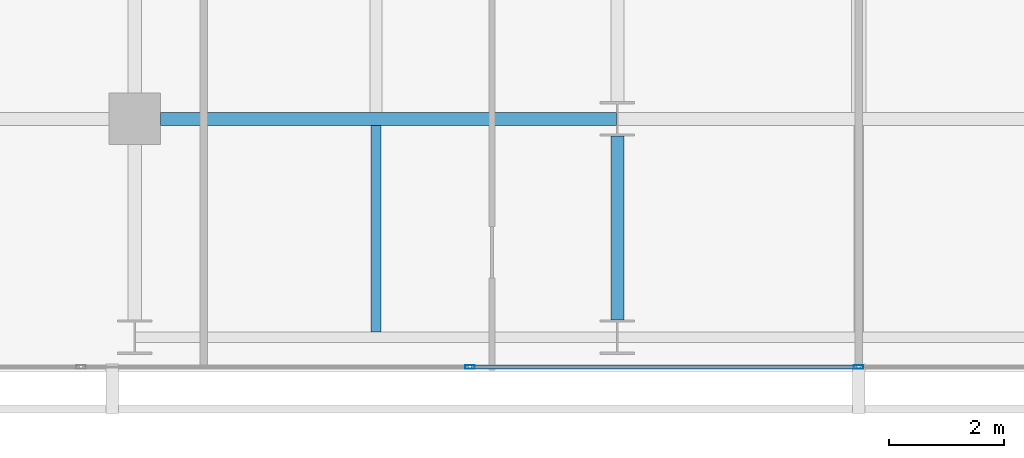
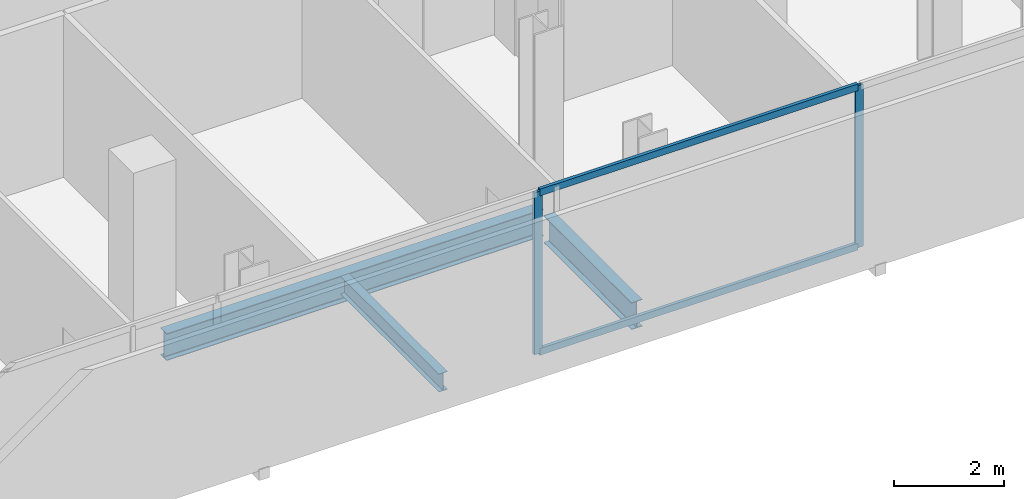
# One storey, part 6 of 34: 4 members, 3 beams, 1 element without a shape of its own.
"""IFC4 building model written with IfcOpenShell, lengths in metres."""

from ifc_helpers import new_model, si_unit, direction, frame, origin, origin_2d, place, context, subcontext, project, spatial, hollow_rectangle, i_section, extrude, material, layer, layer_set, material_profile, profile_set, type_object, element, aggregate, save


model = new_model("IFC4")

# Units and contexts
model_context = context("Model", 3, precision=1e-05, world=origin(), true_north=direction((0.0, 1.0)))
body_context = subcontext(model_context, "Body", "Model", "MODEL_VIEW")
ifc_project = project(units=[si_unit("LENGTHUNIT", "METRE"), si_unit("AREAUNIT", "SQUARE_METRE"), si_unit("VOLUMEUNIT", "CUBIC_METRE"), si_unit("PLANEANGLEUNIT", "RADIAN"), si_unit("MASSUNIT", "GRAM", prefix="KILO")], contexts=[model_context])

# Site, building, storey
site_placement = place(None, origin())
site = spatial("IfcSite", under=ifc_project, at=site_placement, CompositionType="ELEMENT")
building_placement = place(site_placement, origin())
building = spatial("IfcBuilding", under=site, at=building_placement, Name="Maruvema Waterfront Hotel and Observation Tower", CompositionType="ELEMENT")
storey_placement = place(building_placement, frame((0.0, 0.0, 185.14990234375)))
storey = spatial("IfcBuildingStorey", under=building, at=storey_placement, Name="L45", CompositionType="ELEMENT", Elevation=185.14990234375)

# Curtain wall, members
ifc_material_1 = material(Name="Anodised bronze aluminium and solar-control low-E IGU", Category="aluminium")
ifc_layer = layer(ifc_material_1, 0.159912109375, Name="Zone 2 Amber Inner Thermal Curtain Wall System CW-03")
ifc_layer_set = layer_set([ifc_layer], Name="Anodised bronze aluminium and solar-control low-E IGU")
curtain_wall_type = type_object("IfcCurtainWallType", Name="Zone 2 Amber Inner Thermal Curtain Wall System CW-03", PredefinedType="USERDEFINED", material=ifc_layer_set)
curtain_wall_placement = place(storey_placement, origin())
curtain_wall = element("IfcCurtainWall", 1, at=curtain_wall_placement, inside=storey, type_object=curtain_wall_type, Name="L45 Curtain Wall CW-L45-S", ObjectType="UNITISED CURTAIN WALL", PredefinedType="USERDEFINED")
ifc_material_2 = material(Name="Anodised architectural bronze aluminium", Category="aluminium")
ifc_material_profile_1 = material_profile(ifc_material_2, hollow_rectangle(XDim=0.070068359375, YDim=0.14990234375, WallThickness=0.00390625, at=origin_2d()), Name="ALU-T70x150")
ifc_profile_set_1 = profile_set([ifc_material_profile_1], Name="Anodised architectural bronze aluminium")
member_type_1 = type_object("IfcMemberType", Name="Curtain Wall Horizontal Transom ALU-T70x150", PredefinedType="USERDEFINED", material=ifc_profile_set_1)
member_1_placement = place(storey_placement, frame((31.063232421875, 4.679931640625, 0.030029296875), z_axis=(1.0, 0.0, 0.0), x_axis=(0.0, 1.0, 0.0)))
member_1 = element("IfcMember", 2, at=member_1_placement, type_object=member_type_1, Name="CW-03 transom 3.1", ObjectType="TRANSOM", PredefinedType="USERDEFINED", context=body_context, shape_type="SweptSolid", body=[
    extrude(hollow_rectangle(XDim=0.070068359375, YDim=0.14990234375, WallThickness=0.00390625, at=origin_2d()), origin(), (0.0, 0.0, 1.0), 6.706787109375),
])
member_2_placement = place(storey_placement, frame((31.063232421875, 4.679931640625, 3.580078125), z_axis=(1.0, 0.0, 0.0), x_axis=(0.0, 1.0, 0.0)))
member_2 = element("IfcMember", 3, at=member_2_placement, type_object=member_type_1, Name="CW-03 transom 3.2", ObjectType="TRANSOM", PredefinedType="USERDEFINED", context=body_context, shape_type="SweptSolid", body=[
    extrude(hollow_rectangle(XDim=0.070068359375, YDim=0.14990234375, WallThickness=0.00390625, at=origin_2d()), origin(), (0.0, 0.0, 1.0), 6.706787109375),
])
ifc_material_3 = material(Name="Anodised architectural bronze aluminium", Category="aluminium")
ifc_material_profile_2 = material_profile(ifc_material_3, hollow_rectangle(XDim=0.06494140625, YDim=0.1650390625, WallThickness=0.00390625, at=origin_2d()), Name="ALU-M65x165")
ifc_profile_set_2 = profile_set([ifc_material_profile_2], Name="Anodised architectural bronze aluminium")
member_type_2 = type_object("IfcMemberType", Name="Curtain Wall Primary Mullion ALU-M65x165", PredefinedType="MULLION", material=ifc_profile_set_2)
member_3_placement = place(storey_placement, frame((31.033447265625, 4.679931640625, 0.0), z_axis=(0.0, 0.0, 1.0), x_axis=(0.0, 1.0, 0.0)))
member_3 = element("IfcMember", 4, at=member_3_placement, type_object=member_type_2, Name="CW-03 mullion 3", PredefinedType="MULLION", context=body_context, shape_type="SweptSolid", body=[
    extrude(hollow_rectangle(XDim=0.06494140625, YDim=0.1650390625, WallThickness=0.00390625, at=origin_2d()), origin(), (0.0, 0.0, 1.0), 3.610107421875),
])
member_4_placement = place(storey_placement, frame((37.800048828125, 4.679931640625, 0.0), z_axis=(0.0, 0.0, 1.0), x_axis=(0.0, 1.0, 0.0)))
member_4 = element("IfcMember", 5, at=member_4_placement, type_object=member_type_2, Name="CW-03 mullion 4", PredefinedType="MULLION", context=body_context, shape_type="SweptSolid", body=[
    extrude(hollow_rectangle(XDim=0.06494140625, YDim=0.1650390625, WallThickness=0.00390625, at=origin_2d()), origin(), (0.0, 0.0, 1.0), 3.610107421875),
])
aggregate(curtain_wall, [member_3, member_4, member_1, member_2])

# Beams
ifc_material_4 = material(Name="Steel ASTM A572 Grade 50", Category="steel")
ifc_material_profile_3 = material_profile(ifc_material_4, i_section(OverallWidth=0.22802734375, OverallDepth=0.60302734375, WebThickness=0.010498046875, FlangeThickness=0.014892578125, FilletRadius=0.01806640625, at=origin_2d()), Name="W610x101.0")
ifc_profile_set_3 = profile_set([ifc_material_profile_3], Name="Steel ASTM A572 Grade 50")
beam_type_1 = type_object("IfcBeamType", Name="Primary Floor Girder W610x101.0", PredefinedType="BEAM", material=ifc_profile_set_3)
beam_1_placement = place(storey_placement, frame((25.64990234375, 9.0, -0.54150390625), z_axis=(1.0, 0.0, 0.0), x_axis=(0.0, 1.0, 0.0)))
element("IfcBeam", 6, at=beam_1_placement, inside=storey, type_object=beam_type_1, Name="L45 Floor Girder EW-06", PredefinedType="BEAM", context=body_context, shape_type="SweptSolid", body=[
    extrude(i_section(OverallWidth=0.22802734375, OverallDepth=0.60302734375, WebThickness=0.010498046875, FlangeThickness=0.014892578125, FilletRadius=0.01806640625, at=origin_2d()), origin(), (0.0, 0.0, 1.0), 7.9375),
])
beam_2_placement = place(storey_placement, frame((33.60009765625, 5.5, -0.54150390625), z_axis=(0.0, 1.0, 0.0), x_axis=(-1.0, 0.0, 0.0)))
element("IfcBeam", 7, at=beam_2_placement, inside=storey, type_object=beam_type_1, Name="L45 Floor Girder NS-14", PredefinedType="BEAM", context=body_context, shape_type="SweptSolid", body=[
    extrude(i_section(OverallWidth=0.22802734375, OverallDepth=0.60302734375, WebThickness=0.010498046875, FlangeThickness=0.014892578125, FilletRadius=0.01806640625, at=origin_2d()), origin(), (0.0, 0.0, 1.0), 3.199951171875),
])
ifc_material_5 = material(Name="Steel ASTM A572 Grade 50", Category="steel")
ifc_material_profile_4 = material_profile(ifc_material_5, i_section(OverallWidth=0.177001953125, OverallDepth=0.403076171875, WebThickness=0.007568359375, FlangeThickness=0.010986328125, FilletRadius=0.014892578125, at=origin_2d()), Name="W410x53.0")
ifc_profile_set_4 = profile_set([ifc_material_profile_4], Name="Steel ASTM A572 Grade 50")
beam_type_2 = type_object("IfcBeamType", Name="Secondary Floor Joist W410x53.0", PredefinedType="JOIST", material=ifc_profile_set_4)
beam_3_placement = place(storey_placement, frame((29.39990234375, 5.29052734375, -0.44140625), z_axis=(0.0, 1.0, 0.0), x_axis=(-1.0, 0.0, 0.0)))
element("IfcBeam", 8, at=beam_3_placement, inside=storey, type_object=beam_type_2, Name="L45 Secondary Floor Joist JS-05", PredefinedType="JOIST", context=body_context, shape_type="SweptSolid", body=[
    extrude(i_section(OverallWidth=0.177001953125, OverallDepth=0.403076171875, WebThickness=0.007568359375, FlangeThickness=0.010986328125, FilletRadius=0.014892578125, at=origin_2d()), origin(), (0.0, 0.0, 1.0), 3.595458984375),
])

save(model, "model.ifc")
